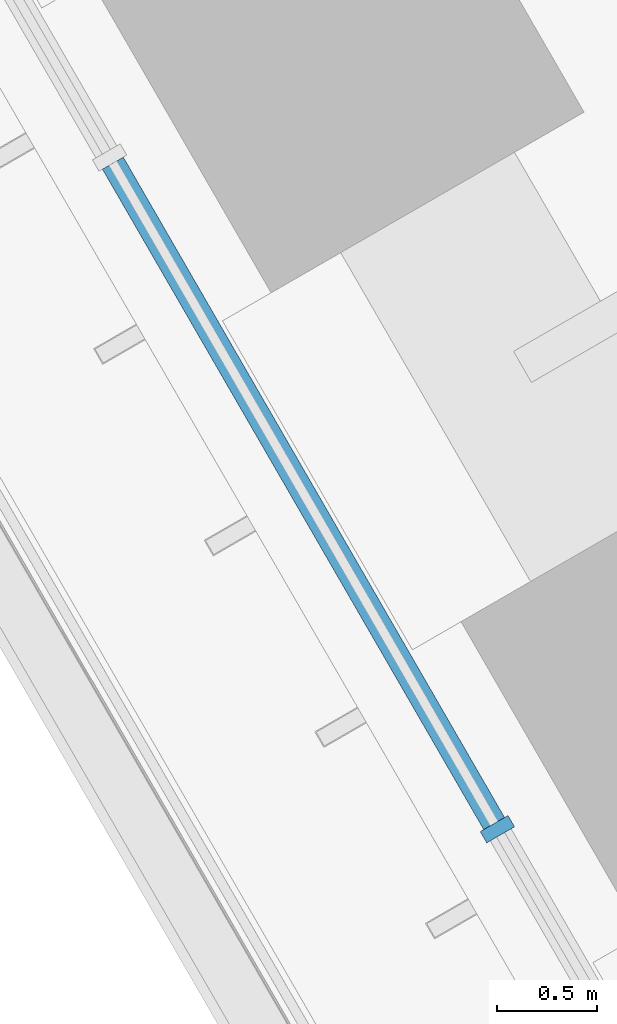
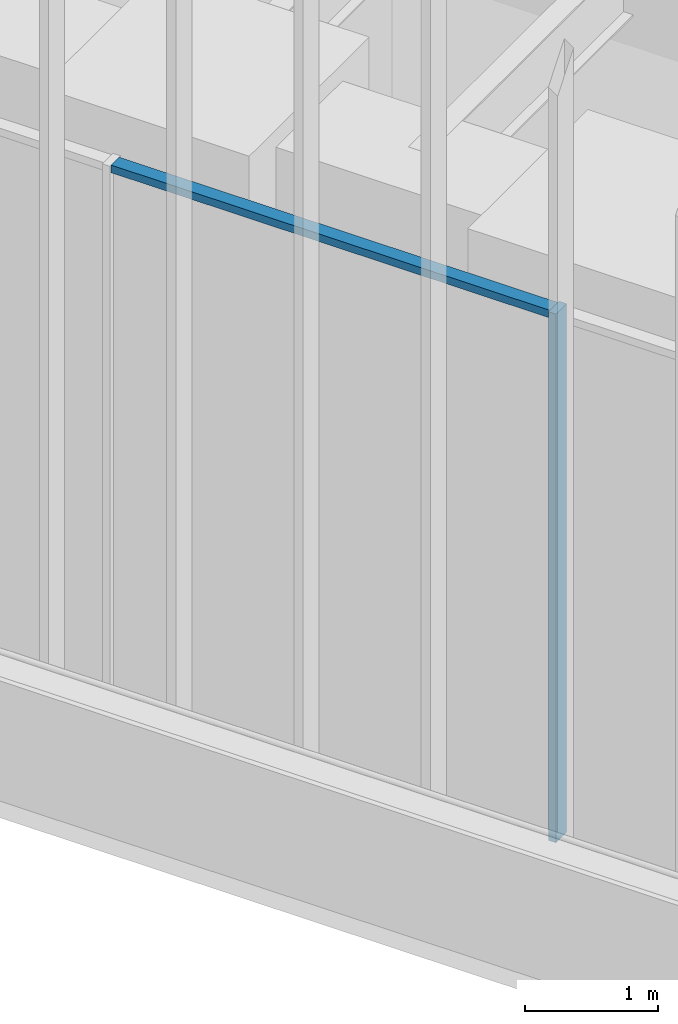
# One storey, part 45 of 228: 2 members, 1 element without a shape of its own.
"""IFC4 building model written with IfcOpenShell, lengths in metres."""

from ifc_helpers import new_model, si_unit, direction, frame, origin, origin_2d, place, context, subcontext, project, spatial, rectangle, extrude, material, material_profile, profile_set, type_object, element, aggregate, save


model = new_model("IFC4")

# Units and contexts
model_context = context("Model", 3, precision=1e-05, world=origin(), true_north=direction((0.0, 1.0)))
body_context = subcontext(model_context, "Body", "Model", "MODEL_VIEW")
ifc_project = project(units=[si_unit("LENGTHUNIT", "METRE"), si_unit("AREAUNIT", "SQUARE_METRE"), si_unit("VOLUMEUNIT", "CUBIC_METRE"), si_unit("PLANEANGLEUNIT", "RADIAN"), si_unit("MASSUNIT", "GRAM", prefix="KILO")], contexts=[model_context])

# Site, building, storey
site_placement = place(None, origin())
site = spatial("IfcSite", under=ifc_project, at=site_placement, CompositionType="ELEMENT")
building_placement = place(site_placement, origin())
building = spatial("IfcBuilding", under=site, at=building_placement, Name="Sandreach Pilgrim Tower", CompositionType="ELEMENT")
storey_placement = place(building_placement, frame((0.0, 0.0, 178.199951171875)))
storey = spatial("IfcBuildingStorey", under=building, at=storey_placement, Name="L44", CompositionType="ELEMENT", Elevation=178.199951171875)

# Curtain wall, members
ifc_material_1 = material(Name="Aluminium framed curtain wall", Category="aluminium")
curtain_wall_type = type_object("IfcCurtainWallType", Name="Upper hotel tower curtain wall", PredefinedType="NOTDEFINED", material=ifc_material_1)
curtain_wall_placement = place(storey_placement, origin())
curtain_wall = element("IfcCurtainWall", 1, at=curtain_wall_placement, inside=storey, type_object=curtain_wall_type, Name="CW-3 L44 SW", PredefinedType="NOTDEFINED")
ifc_material_2 = material(Name="Aluminium extrusion", Category="aluminium")
ifc_material_profile_1 = material_profile(ifc_material_2, rectangle(XDim=0.06494140625, YDim=0.159912109375, at=origin_2d()), Name="CW-3M 65X160")
ifc_profile_set_1 = profile_set([ifc_material_profile_1], Name="Aluminium extrusion")
member_type_1 = type_object("IfcMemberType", Name="CW-3 mullion", PredefinedType="MULLION", material=ifc_profile_set_1)
member_1_placement = place(storey_placement, frame((-17.359130859375, -12.25341796875, 0.0), z_axis=(0.0, 0.0, 1.0), x_axis=(-0.5, 0.866025403784, 0.0)))
member_1 = element("IfcMember", 2, at=member_1_placement, type_object=member_type_1, Name="CW-3 mullion 5", PredefinedType="MULLION", context=body_context, shape_type="SweptSolid", body=[
    extrude(rectangle(XDim=0.06494140625, YDim=0.159912109375, at=origin_2d()), origin(), (0.0, 0.0, 1.0), 4.840087890625),
])
ifc_material_3 = material(Name="Aluminium extrusion", Category="aluminium")
ifc_material_profile_2 = material_profile(ifc_material_3, rectangle(XDim=0.1201171875, YDim=0.070068359375, at=origin_2d()), Name="CW-3T 120X70")
ifc_profile_set_2 = profile_set([ifc_material_profile_2], Name="Aluminium extrusion")
member_type_2 = type_object("IfcMemberType", Name="CW-3 transom", PredefinedType="USERDEFINED", material=ifc_profile_set_2)
member_2_placement = place(storey_placement, frame((-17.375244140625, -12.225341796875, 4.804931640625), z_axis=(-0.500022797313, 0.86601224135, 0.0), x_axis=(-0.86601224135, -0.500022797313, 0.0)))
member_2 = element("IfcMember", 3, at=member_2_placement, type_object=member_type_2, Name="CW-3 head transom 5", ObjectType="TRANSOM", PredefinedType="USERDEFINED", context=body_context, shape_type="SweptSolid", body=[
    extrude(rectangle(XDim=0.1201171875, YDim=0.070068359375, at=origin_2d()), origin(), (0.0, 0.0, 1.0), 3.799560546875),
])
aggregate(curtain_wall, [member_1, member_2])

save(model, "model.ifc")
